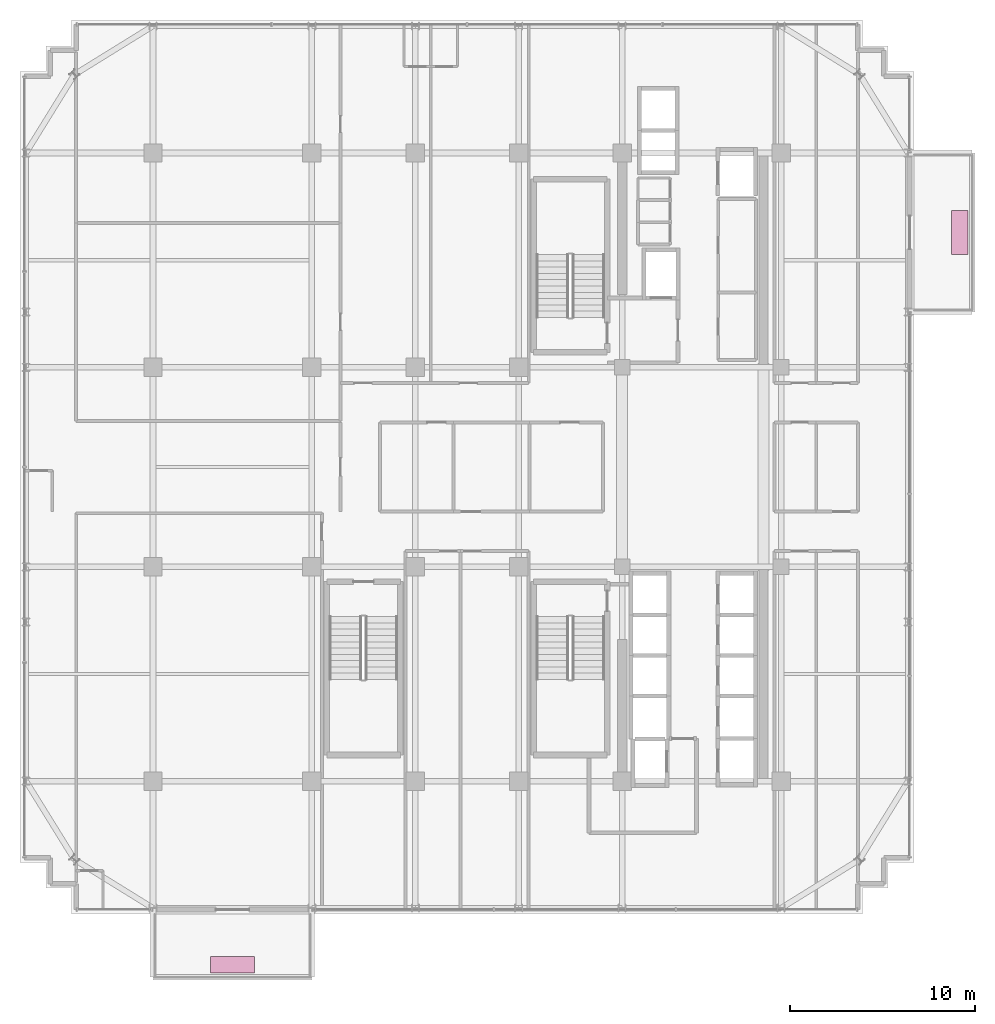
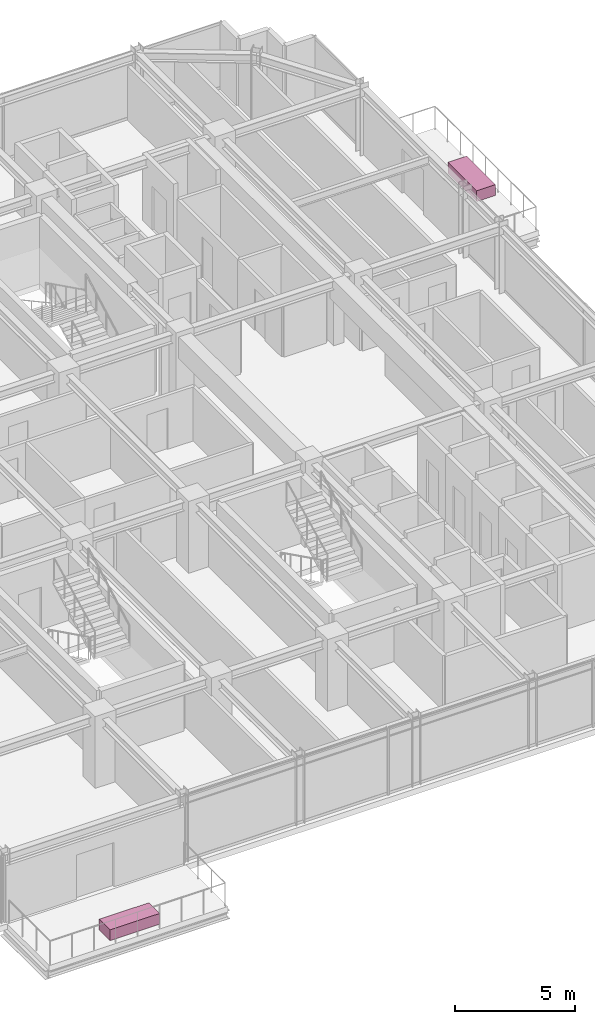
# One storey, part 36 of 36: 2 furnishings.
"""IFC4 building model written with IfcOpenShell, lengths in metres."""

from ifc_helpers import new_model, si_unit, direction, frame, origin, origin_2d, place, context, subcontext, project, spatial, rectangle, extrude, source, transform, mapped, material, type_object, element, save


model = new_model("IFC4")

# Units and contexts
model_context = context("Model", 3, precision=1e-05, world=origin(), true_north=direction((0.0, 1.0)))
body_context = subcontext(model_context, "Body", "Model", "MODEL_VIEW")
ifc_project = project(units=[si_unit("LENGTHUNIT", "METRE"), si_unit("AREAUNIT", "SQUARE_METRE"), si_unit("VOLUMEUNIT", "CUBIC_METRE"), si_unit("PLANEANGLEUNIT", "RADIAN"), si_unit("MASSUNIT", "GRAM", prefix="KILO")], contexts=[model_context])

# Site, building, storey
site_placement = place(None, origin())
site = spatial("IfcSite", under=ifc_project, at=site_placement, CompositionType="ELEMENT")
building_placement = place(site_placement, origin())
building = spatial("IfcBuilding", under=site, at=building_placement, Name="Nahalor Promenade Grand Hotel", CompositionType="ELEMENT")
storey_placement = place(building_placement, frame((0.0, 0.0, 223.39990234375)))
storey = spatial("IfcBuildingStorey", under=building, at=storey_placement, Name="L57", CompositionType="ELEMENT", Elevation=223.39990234375)

# Furnishings
ifc_material = material(Name="Vegetated Volcanic-Lapilli Tree Planter", Category="earth")
furnishing_element_type = type_object("IfcFurnishingElementType", Name="Planter-VerticalForest-Box", material=ifc_material)
shared_shape = source(origin(), body_context, "Body", "SweptSolid", [
    extrude(rectangle(XDim=2.39990234375, YDim=0.89990234375, at=origin_2d()), origin(), (0.0, 0.0, 1.0), 0.550048828125),
])
for number, where, z_axis, x_axis, name in (
    (1, (-12.699951171875, -26.949951171875, 0.0), (0.0, 0.0, 1.0), (1.0, 0.0, 0.0), "L57 Balcony Structural Tree Planter 1"),
    (2, (26.669921875, 12.699951171875, 0.0), (0.0, 0.0, 1.0), (0.0, 1.0, 0.0), "L57 Balcony Structural Tree Planter 2"),
):
    element("IfcFurnishingElement", number, at=place(storey_placement, frame(where, z_axis=z_axis, x_axis=x_axis)), inside=storey, type_object=furnishing_element_type, Name=name, ObjectType="PLANTER", context=body_context, shape_type="MappedRepresentation", body=[
        mapped(shared_shape, transform((0.0, 0.0, 0.0), scale=1.0)),
    ])

save(model, "model.ifc")
